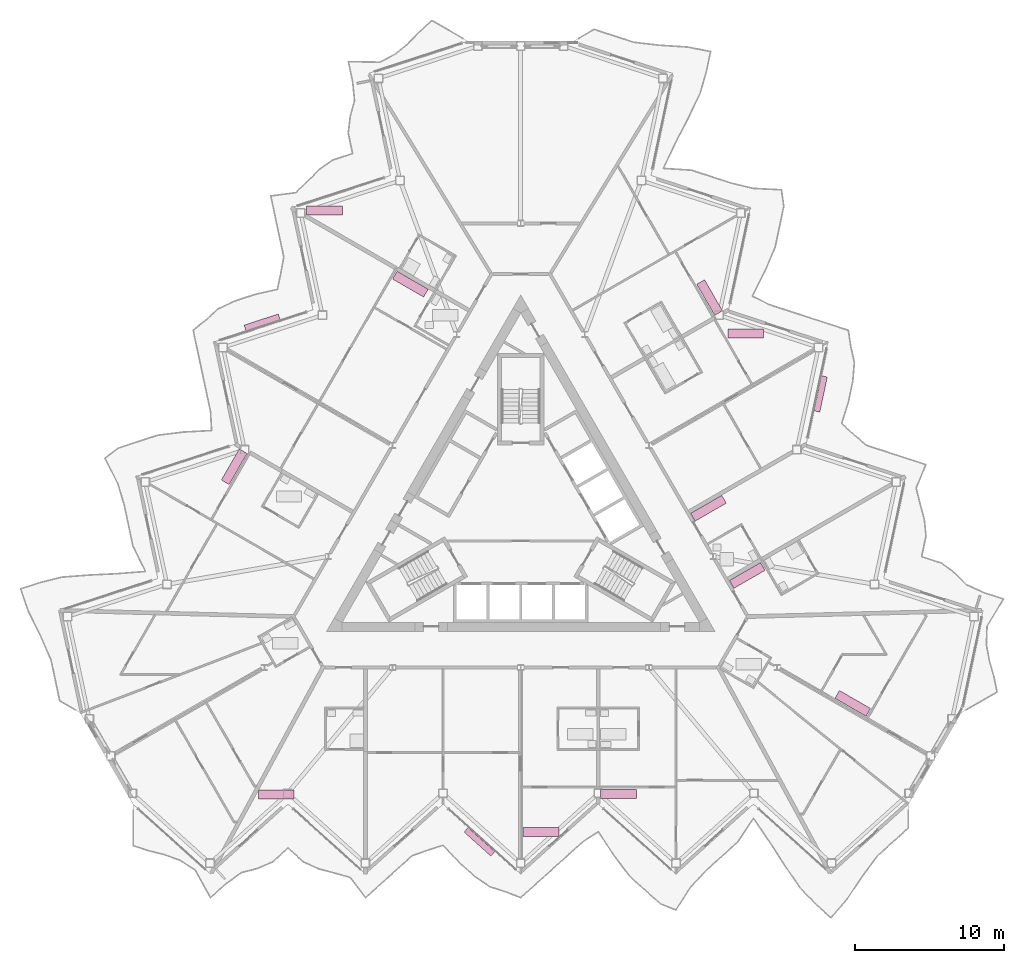
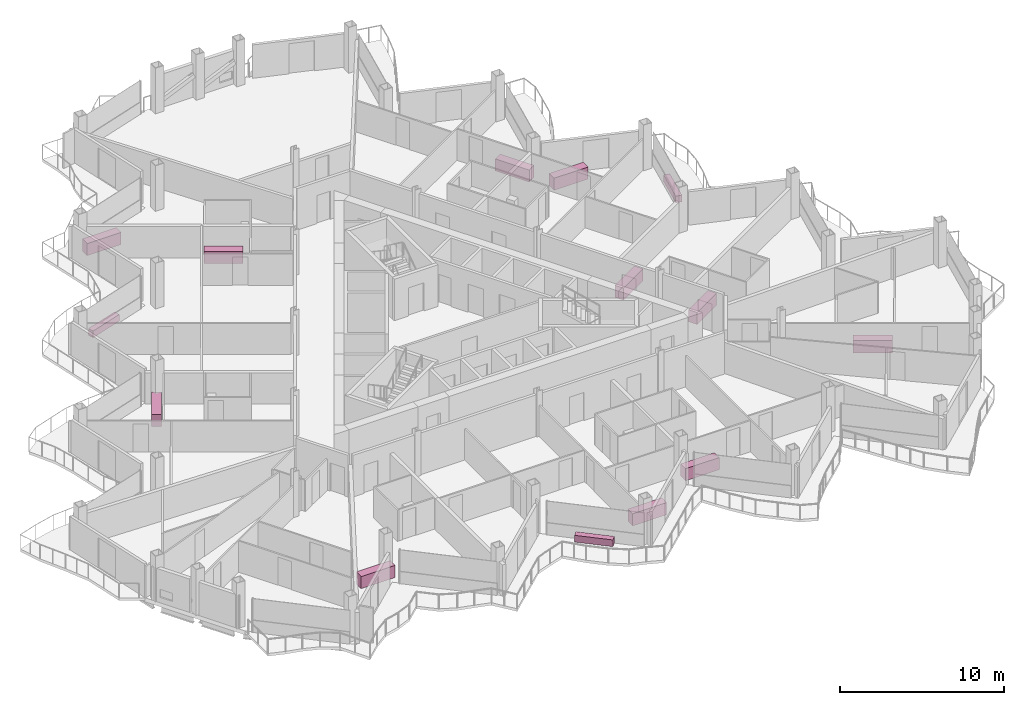
# One storey, part 28 of 28: 14 furniture elements.
"""IFC4 building model written with IfcOpenShell, lengths in metres."""

from ifc_helpers import new_model, si_unit, direction, frame, origin, origin_2d, place, context, subcontext, project, spatial, rectangle, extrude, material, type_object, element, save


model = new_model("IFC4")

# Units and contexts
model_context = context("Model", 3, precision=1e-05, world=origin(), true_north=direction((0.0, 1.0)))
body_context = subcontext(model_context, "Body", "Model", "MODEL_VIEW")
ifc_project = project(units=[si_unit("LENGTHUNIT", "METRE"), si_unit("AREAUNIT", "SQUARE_METRE"), si_unit("VOLUMEUNIT", "CUBIC_METRE"), si_unit("PLANEANGLEUNIT", "RADIAN"), si_unit("MASSUNIT", "GRAM", prefix="KILO")], contexts=[model_context])

# Site, building, storey
site_placement = place(None, origin())
site = spatial("IfcSite", under=ifc_project, at=site_placement, CompositionType="ELEMENT")
building_placement = place(site_placement, origin())
building = spatial("IfcBuilding", under=site, at=building_placement, Name="Cormorant Prow Tower", CompositionType="ELEMENT")
storey_placement = place(building_placement, frame((0.0, 0.0, 308.60009765625)))
storey = spatial("IfcBuildingStorey", under=building, at=storey_placement, Name="L67", CompositionType="ELEMENT", Elevation=308.60009765625)

# Furniture
ifc_material_1 = material(Name="Terracotta", Category="masonry")
furniture_type_1 = type_object("IfcFurnitureType", Name="Balcony planter 2400x400x500", AssemblyPlace="NOTDEFINED", PredefinedType="USERDEFINED", material=ifc_material_1)
for number, where, z_axis, x_axis, name in (
    (1, (-2.7626953125, -21.57763671875, 0.0), (0.0, 0.0, 1.0), (0.743144844712, -0.669130584997, 0.0), "Balcony planter S04"),
    (2, (20.068115234375, 8.396240234375, 0.0), (0.0, 0.0, 1.0), (0.207911691808, 0.978147600523, 0.0), "Balcony planter ENE04"),
    (3, (-17.305419921875, 13.181396484375, 0.0), (0.0, 0.0, 1.0), (-0.951056501528, -0.309017039823, 0.0), "Balcony planter WNW04"),
):
    element("IfcFurniture", number, at=place(storey_placement, frame(where, z_axis=z_axis, x_axis=x_axis)), inside=storey, type_object=furniture_type_1, Name=name, ObjectType="PLANTER", PredefinedType="USERDEFINED", context=body_context, shape_type="SweptSolid", body=[
        extrude(rectangle(XDim=2.39990234375, YDim=0.39990234375, at=origin_2d()), origin(), (0.0, 0.0, 1.0), 0.5),
    ])
ifc_material_2 = material(Name="Timber joinery", Category="wood")
furniture_type_2 = type_object("IfcFurnitureType", Name="Kitchen counter 2400x600", AssemblyPlace="NOTDEFINED", PredefinedType="NOTDEFINED", material=ifc_material_2)
for number, where, z_axis, x_axis, name in (
    (4, (-16.36328125, -18.41552734375, 0.0), (0.0, 0.0, 1.0), (1.0, 0.0, 0.0), "Kitchen counter"),
    (5, (1.344970703125, -20.91552734375, 0.0), (0.0, 0.0, 1.0), (1.0, 0.0, 0.0), "Kitchen counter"),
    (6, (6.535888671875, -18.369384765625, 0.0), (0.0, 0.0, 1.0), (1.0, 0.0, 0.0), "Kitchen counter"),
    (7, (22.215576171875, -12.312255859375, 0.0), (0.0, 0.0, 1.0), (-0.866025403784, 0.5, 0.0), "Kitchen counter"),
    (8, (15.15673828125, -3.751220703125, 0.0), (0.0, 0.0, 1.0), (0.866025403784, 0.5, 0.0), "Kitchen counter"),
    (9, (12.561279296875, 0.744384765625, 0.0), (0.0, 0.0, 1.0), (0.866025403784, 0.5, 0.0), "Kitchen counter"),
    (10, (15.05712890625, 12.44189453125, 0.0), (0.0, 0.0, 1.0), (1.0, 0.0, 0.0), "Kitchen counter"),
    (11, (12.640380859375, 14.844970703125, 0.0), (0.0, 0.0, 1.0), (-0.5, 0.866025403784, 0.0), "Kitchen counter"),
    (12, (-13.126708984375, 20.673583984375, 0.0), (0.0, 0.0, 1.0), (1.0, 0.0, 0.0), "Kitchen counter"),
    (13, (-7.3876953125, 15.739501953125, 0.0), (0.0, 0.0, 1.0), (0.866025403784, -0.5, 0.0), "Kitchen counter"),
    (14, (-19.17626953125, 3.5244140625, 0.0), (0.0, 0.0, 1.0), (-0.5, -0.866025403784, 0.0), "Kitchen counter"),
):
    element("IfcFurniture", number, at=place(storey_placement, frame(where, z_axis=z_axis, x_axis=x_axis)), inside=storey, type_object=furniture_type_2, Name=name, PredefinedType="NOTDEFINED", context=body_context, shape_type="SweptSolid", body=[
        extrude(rectangle(XDim=2.39990234375, YDim=0.60009765625, at=origin_2d()), origin(), (0.0, 0.0, 1.0), 0.89990234375),
    ])

save(model, "model.ifc")
